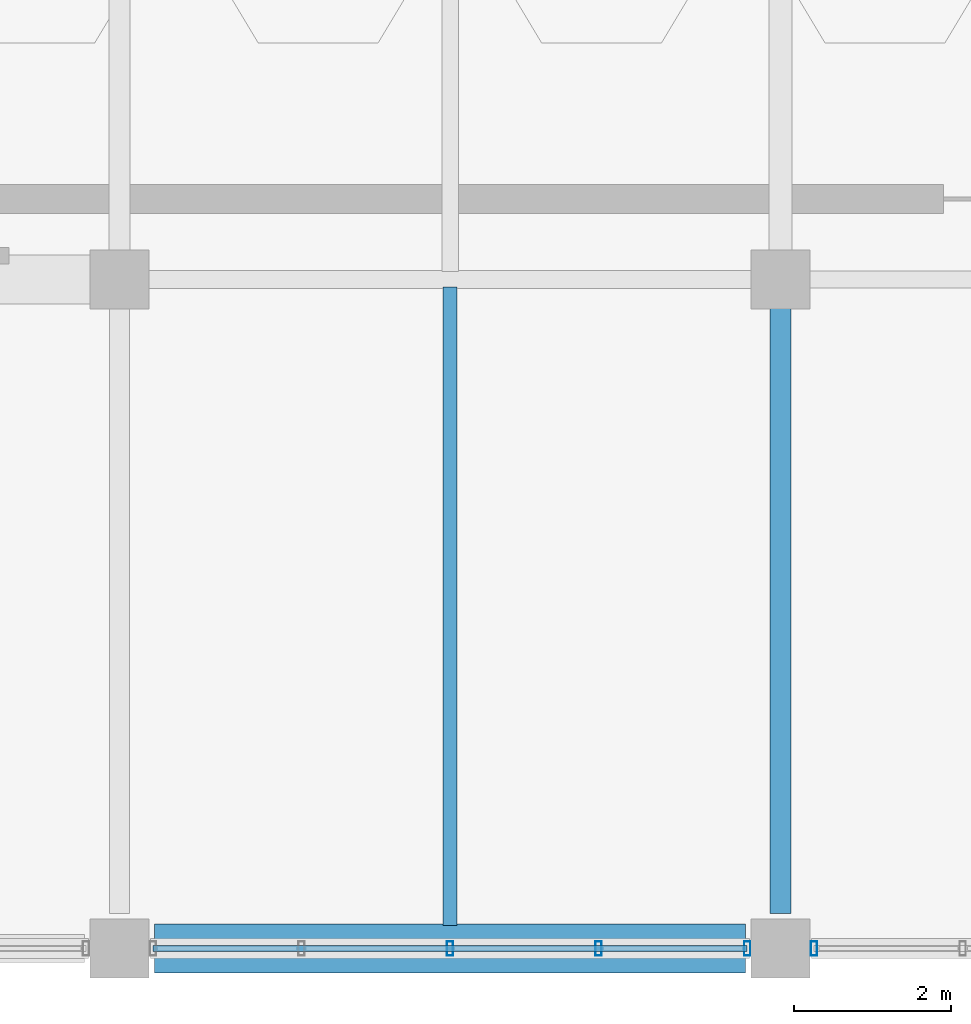
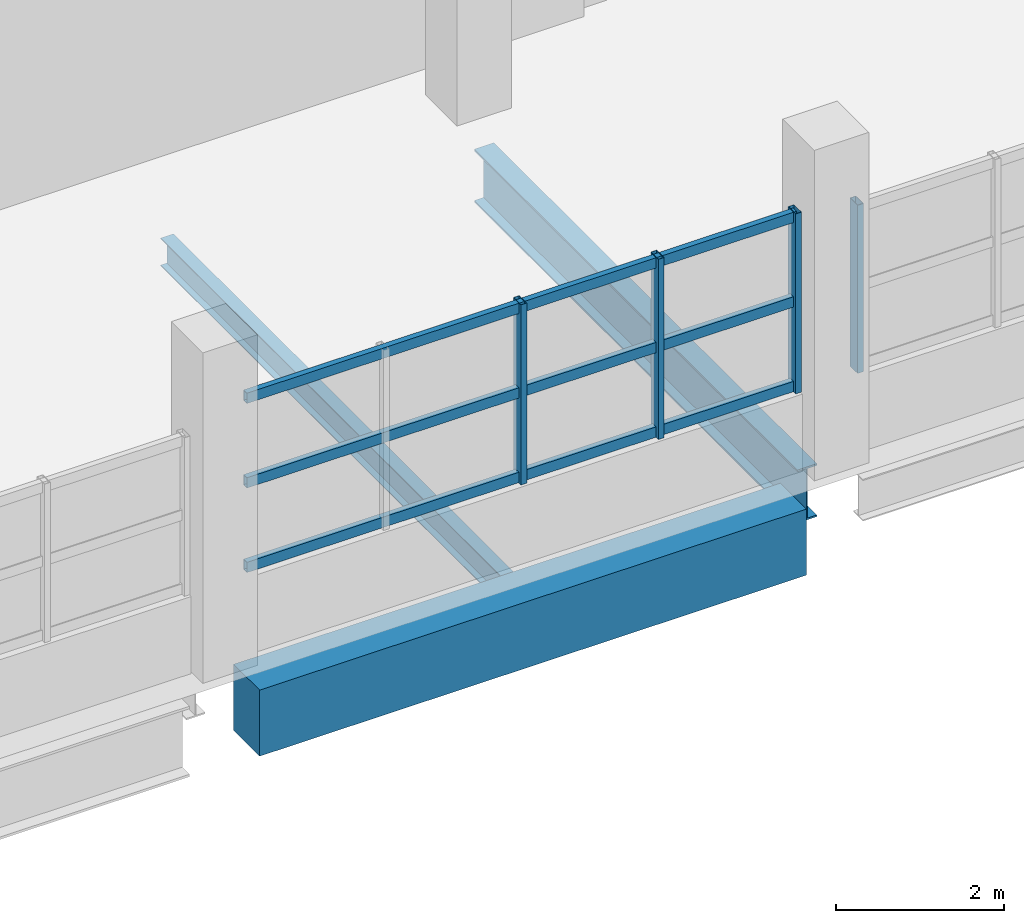
# One storey, part 53 of 117: 7 members, 3 beams, 2 elements without a shape of their own.
"""IFC4 building model written with IfcOpenShell, lengths in metres."""

from ifc_helpers import new_model, si_unit, direction, frame, origin, origin_2d, place, context, subcontext, project, spatial, rectangle, hollow_rectangle, i_section, extrude, material, material_profile, profile_set, type_object, element, aggregate, save


model = new_model("IFC4")

# Units and contexts
model_context = context("Model", 3, precision=1e-05, world=origin(), true_north=direction((0.0, 1.0)))
body_context = subcontext(model_context, "Body", "Model", "MODEL_VIEW")
ifc_project = project(units=[si_unit("LENGTHUNIT", "METRE"), si_unit("AREAUNIT", "SQUARE_METRE"), si_unit("VOLUMEUNIT", "CUBIC_METRE"), si_unit("PLANEANGLEUNIT", "RADIAN"), si_unit("MASSUNIT", "GRAM", prefix="KILO")], contexts=[model_context])

# Site, building, storey
site_placement = place(None, origin())
site = spatial("IfcSite", under=ifc_project, at=site_placement, CompositionType="ELEMENT")
building_placement = place(site_placement, origin())
building = spatial("IfcBuilding", under=site, at=building_placement, Name="Solvento Point Concert Hall", CompositionType="ELEMENT")
storey_placement = place(building_placement, frame((0.0, 0.0, 5.39990234375)))
storey = spatial("IfcBuildingStorey", under=building, at=storey_placement, Name="L01", CompositionType="ELEMENT", Elevation=5.39990234375)

# Beams
ifc_material_1 = material(Name="Concrete C35/45", Category="concrete")
ifc_material_profile_1 = material_profile(ifc_material_1, rectangle(XDim=0.6201171875, YDim=0.9599609375, at=origin_2d()), Name="RC-BM-620X960")
ifc_profile_set_1 = profile_set([ifc_material_profile_1], Name="Concrete C35/45")
beam_type_1 = type_object("IfcBeamType", Name="Girder_RC_620x960", PredefinedType="USERDEFINED", material=ifc_profile_set_1)
beam_1_placement = place(storey_placement, frame((167.243896484375, 0.0, -0.90380859375), z_axis=(1.0, 0.0, 0.0), x_axis=(0.0, 1.0, 0.0)))
element("IfcBeam", 1, at=beam_1_placement, inside=storey, type_object=beam_type_1, Name="Primary girder B-69 L01", ObjectType="GIRDER", PredefinedType="USERDEFINED", context=body_context, shape_type="SweptSolid", body=[
    extrude(rectangle(XDim=0.6201171875, YDim=0.9599609375, at=origin_2d()), origin(), (0.0, 0.0, 1.0), 7.51220703125),
])
ifc_material_2 = material(Name="Structural Steel ASTM A992 Grade 50", Category="steel")
ifc_material_profile_2 = material_profile(ifc_material_2, i_section(OverallWidth=0.26806640625, OverallDepth=0.77001953125, WebThickness=0.015625, FlangeThickness=0.025390625, at=origin_2d()), Name="W30X132")
ifc_profile_set_2 = profile_set([ifc_material_profile_2], Name="Structural Steel ASTM A992 Grade 50")
beam_type_2 = type_object("IfcBeamType", Name="Girder_W30X132", PredefinedType="USERDEFINED", material=ifc_profile_set_2)
beam_2_placement = place(storey_placement, frame((175.199951171875, 0.444091796875, -0.808837890625), z_axis=(0.0, 1.0, 0.0), x_axis=(-1.0, 0.0, 0.0)))
element("IfcBeam", 2, at=beam_2_placement, inside=storey, type_object=beam_type_2, Name="Primary girder B-68 L01", ObjectType="GIRDER", PredefinedType="USERDEFINED", context=body_context, shape_type="SweptSolid", body=[
    extrude(i_section(OverallWidth=0.26806640625, OverallDepth=0.77001953125, WebThickness=0.015625, FlangeThickness=0.025390625, at=origin_2d()), origin(), (0.0, 0.0, 1.0), 7.68701171875),
])
ifc_material_3 = material(Name="Structural Steel ASTM A992 Grade 50", Category="steel")
ifc_material_profile_3 = material_profile(ifc_material_3, i_section(OverallWidth=0.177490234375, OverallDepth=0.403076171875, WebThickness=0.007568359375, FlangeThickness=0.010986328125, at=origin_2d()), Name="W16X36")
ifc_profile_set_3 = profile_set([ifc_material_profile_3], Name="Structural Steel ASTM A992 Grade 50")
beam_type_3 = type_object("IfcBeamType", Name="Joist_W16X36", PredefinedType="JOIST", material=ifc_profile_set_3)
beam_3_placement = place(storey_placement, frame((171.0, 0.294921875, -0.62548828125), z_axis=(0.0, 1.0, 0.0), x_axis=(-1.0, 0.0, 0.0)))
element("IfcBeam", 3, at=beam_3_placement, inside=storey, type_object=beam_type_3, Name="Secondary floor joist B-30 L01", PredefinedType="JOIST", context=body_context, shape_type="SweptSolid", body=[
    extrude(i_section(OverallWidth=0.177490234375, OverallDepth=0.403076171875, WebThickness=0.007568359375, FlangeThickness=0.010986328125, at=origin_2d()), origin(), (0.0, 0.0, 1.0), 8.10595703125),
])

# Curtain wall, members
ifc_material_4 = material(Name="Anodized Bronze Aluminium", Category="aluminium")
curtain_wall_type = type_object("IfcCurtainWallType", Name="CurtainWall_ChamberCircle", PredefinedType="USERDEFINED", material=ifc_material_4)
curtain_wall_1_placement = place(storey_placement, origin())
curtain_wall_1 = element("IfcCurtainWall", 4, at=curtain_wall_1_placement, inside=storey, type_object=curtain_wall_type, Name="Unitised curtain wall CW-32 UCW-L01-088", ObjectType="UNITISED CURTAIN WALL", PredefinedType="USERDEFINED")
ifc_material_5 = material(Name="Anodized Bronze Aluminium", Category="aluminium")
ifc_material_profile_4 = material_profile(ifc_material_5, hollow_rectangle(XDim=0.080078125, YDim=0.179931640625, WallThickness=0.00390625, at=origin_2d()), Name="CW-MUL-80X180")
ifc_profile_set_4 = profile_set([ifc_material_profile_4], Name="Anodized Bronze Aluminium")
member_type_1 = type_object("IfcMemberType", Name="Mullion_80x180", PredefinedType="MULLION", material=ifc_profile_set_4)
member_1_placement = place(storey_placement, frame((171.0, 0.0, 1.1201171875), z_axis=(0.0, 0.0, 1.0), x_axis=(1.0, 0.0, 0.0)))
member_1 = element("IfcMember", 5, at=member_1_placement, type_object=member_type_1, Name="Curtain wall mullion ML-01", PredefinedType="MULLION", context=body_context, shape_type="SweptSolid", body=[
    extrude(hollow_rectangle(XDim=0.080078125, YDim=0.179931640625, WallThickness=0.00390625, at=origin_2d()), origin(), (0.0, 0.0, 1.0), 2.615966796875),
])
member_2_placement = place(storey_placement, frame((172.887451171875, 0.0, 1.1201171875), z_axis=(0.0, 0.0, 1.0), x_axis=(1.0, 0.0, 0.0)))
member_2 = element("IfcMember", 6, at=member_2_placement, type_object=member_type_1, Name="Curtain wall mullion ML-01", PredefinedType="MULLION", context=body_context, shape_type="SweptSolid", body=[
    extrude(hollow_rectangle(XDim=0.080078125, YDim=0.179931640625, WallThickness=0.00390625, at=origin_2d()), origin(), (0.0, 0.0, 1.0), 2.615966796875),
])
member_3_placement = place(storey_placement, frame((174.77490234375, 0.0, 1.1201171875), z_axis=(0.0, 0.0, 1.0), x_axis=(1.0, 0.0, 0.0)))
member_3 = element("IfcMember", 7, at=member_3_placement, type_object=member_type_1, Name="Curtain wall mullion ML-01", PredefinedType="MULLION", context=body_context, shape_type="SweptSolid", body=[
    extrude(hollow_rectangle(XDim=0.080078125, YDim=0.179931640625, WallThickness=0.00390625, at=origin_2d()), origin(), (0.0, 0.0, 1.0), 2.615966796875),
])

# Curtain wall, member
curtain_wall_2_placement = place(storey_placement, origin())
curtain_wall_2 = element("IfcCurtainWall", 8, at=curtain_wall_2_placement, inside=storey, type_object=curtain_wall_type, Name="Unitised curtain wall CW-32 UCW-L01-089", ObjectType="UNITISED CURTAIN WALL", PredefinedType="USERDEFINED")
member_4_placement = place(storey_placement, frame((175.625, 0.0, 1.1201171875), z_axis=(0.0, 0.0, 1.0), x_axis=(1.0, 0.0, 0.0)))
member_4 = element("IfcMember", 9, at=member_4_placement, type_object=member_type_1, Name="Curtain wall mullion ML-01", PredefinedType="MULLION", context=body_context, shape_type="SweptSolid", body=[
    extrude(hollow_rectangle(XDim=0.080078125, YDim=0.179931640625, WallThickness=0.00390625, at=origin_2d()), origin(), (0.0, 0.0, 1.0), 2.444091796875),
])
aggregate(curtain_wall_2, [member_4])

# Member
ifc_material_6 = material(Name="Anodized Bronze Aluminium", Category="aluminium")
ifc_material_profile_5 = material_profile(ifc_material_6, hollow_rectangle(XDim=0.080078125, YDim=0.14990234375, WallThickness=0.00390625, at=origin_2d()), Name="CW-TRN-80X150")
ifc_profile_set_5 = profile_set([ifc_material_profile_5], Name="Anodized Bronze Aluminium")
member_type_2 = type_object("IfcMemberType", Name="Transom_80x150", PredefinedType="USERDEFINED", material=ifc_profile_set_5)
member_5_placement = place(storey_placement, frame((167.22509765625, 0.0, 1.2001953125), z_axis=(1.0, 0.0, 0.0), x_axis=(0.0, 1.0, 0.0)))
member_5 = element("IfcMember", 10, at=member_5_placement, type_object=member_type_2, Name="Curtain wall transom TR-01", ObjectType="TRANSOM", PredefinedType="USERDEFINED", context=body_context, shape_type="SweptSolid", body=[
    extrude(hollow_rectangle(XDim=0.080078125, YDim=0.14990234375, WallThickness=0.00390625, at=origin_2d()), origin(), (0.0, 0.0, 1.0), 7.5498046875),
])

member_6_placement = place(storey_placement, frame((167.22509765625, 0.0, 2.427978515625), z_axis=(1.0, 0.0, 0.0), x_axis=(0.0, 1.0, 0.0)))
member_6 = element("IfcMember", 11, at=member_6_placement, type_object=member_type_2, Name="Curtain wall transom TR-01", ObjectType="TRANSOM", PredefinedType="USERDEFINED", context=body_context, shape_type="SweptSolid", body=[
    extrude(hollow_rectangle(XDim=0.080078125, YDim=0.14990234375, WallThickness=0.00390625, at=origin_2d()), origin(), (0.0, 0.0, 1.0), 7.5498046875),
])

member_7_placement = place(storey_placement, frame((167.22509765625, 0.0, 3.656005859375), z_axis=(1.0, 0.0, 0.0), x_axis=(0.0, 1.0, 0.0)))
member_7 = element("IfcMember", 12, at=member_7_placement, type_object=member_type_2, Name="Curtain wall transom TR-01", ObjectType="TRANSOM", PredefinedType="USERDEFINED", context=body_context, shape_type="SweptSolid", body=[
    extrude(hollow_rectangle(XDim=0.080078125, YDim=0.14990234375, WallThickness=0.00390625, at=origin_2d()), origin(), (0.0, 0.0, 1.0), 7.5498046875),
])

aggregate(curtain_wall_1, [member_1, member_2, member_3, member_5, member_6, member_7])

save(model, "model.ifc")
